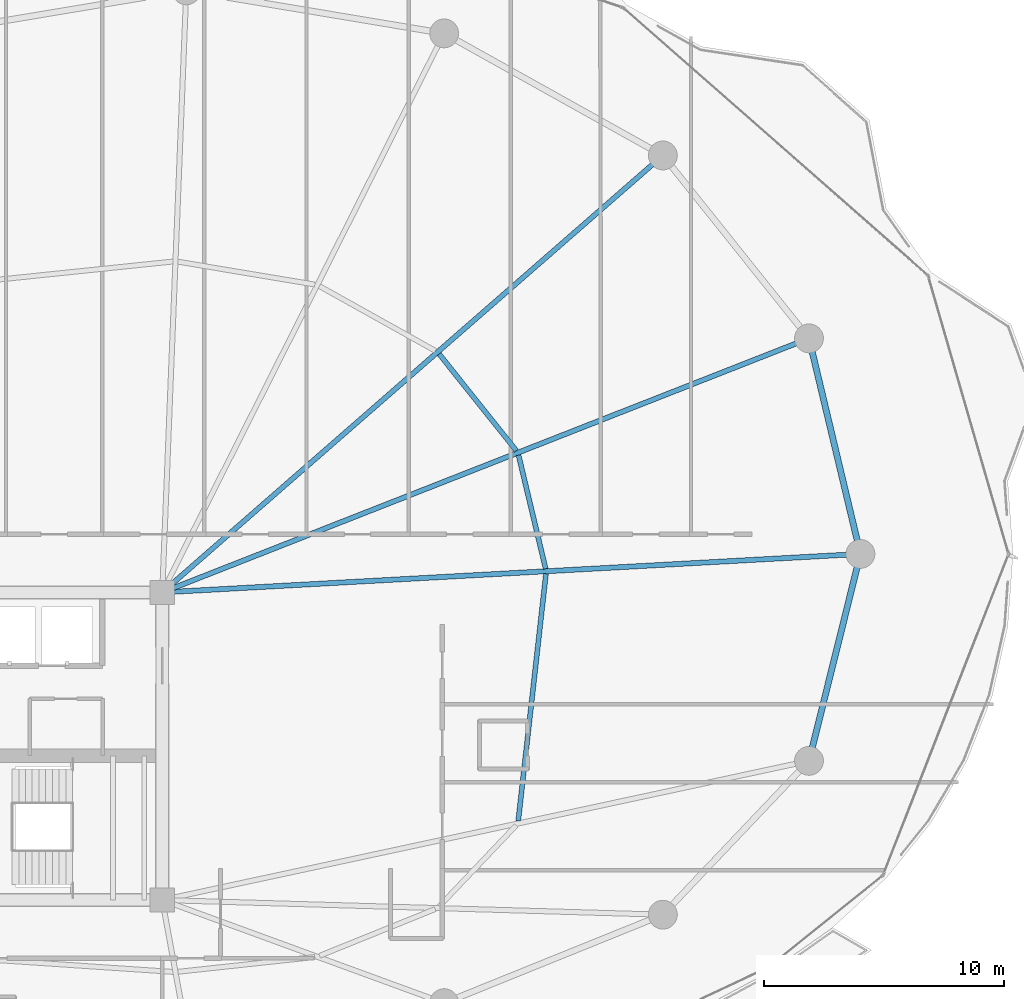
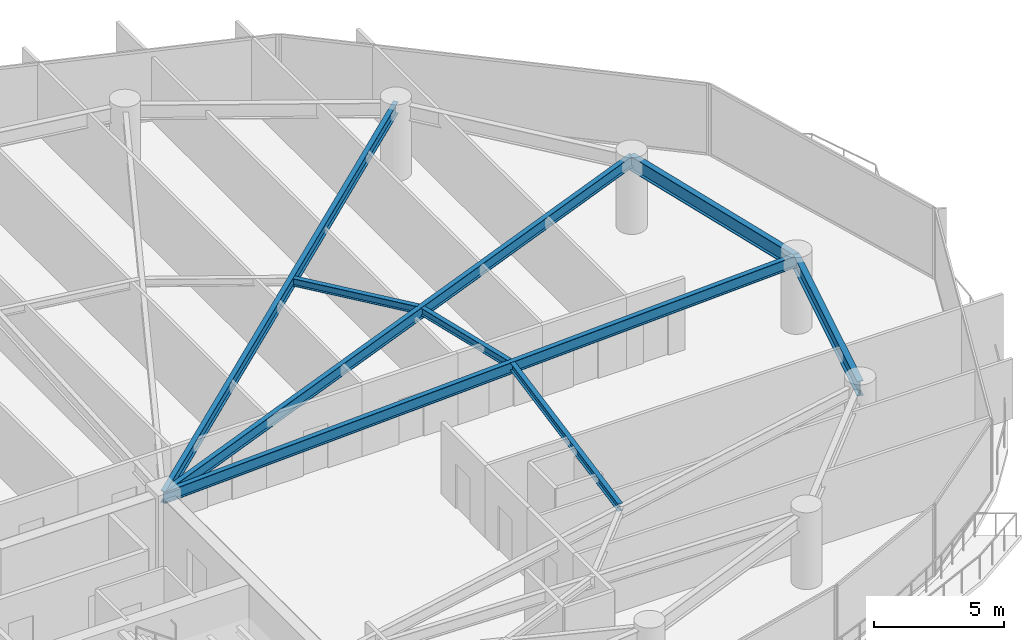
# One storey, part 16 of 34: 8 beams.
"""IFC4 building model written with IfcOpenShell, lengths in metres."""

import ifcopenshell
import ifcopenshell.guid

model = None  # the IFC model being written
_history = None  # IfcOwnerHistory: only IFC2X3 demands one
_inside = {}  # id of a spatial element -> (the spatial element, [elements in it])
_under = {}  # id of a project, library or spatial element -> (it, [spatial elements below it])
_declared = {}  # id of a project -> (the project, [libraries it declares])
_typed = {}  # id of a type object -> (the type object, [elements of that type])
_made_of = {}  # id of a material, layer set ... -> (it, [elements and type objects made of it])


def new_model(schema):
    """Start an empty IFC model of exactly this schema.

    Asked for "IFC4X3", IfcOpenShell would pick the latest addendum, in which some entities
    have other attributes; the version numbers below select the first issue.
    IFC2X3 requires an IfcOwnerHistory on every rooted entity: one is made here for all.
    """
    global model, _history
    if schema == "IFC4X3":
        model = ifcopenshell.file(schema_version=(4, 3, 0, 0))
    else:
        model = ifcopenshell.file(schema=schema)
    _inside.clear()
    _under.clear()
    _declared.clear()
    _typed.clear()
    _made_of.clear()
    _history = None
    if model.schema == "IFC2X3":
        org = make("IfcOrganization", Name="unknown")
        user = make(
            "IfcPersonAndOrganization",
            ThePerson=make("IfcPerson", FamilyName="unknown"),
            TheOrganization=org,
        )
        app = make(
            "IfcApplication",
            ApplicationDeveloper=org,
            Version="unknown",
            ApplicationFullName="unknown",
            ApplicationIdentifier="unknown",
        )
        _history = make(
            "IfcOwnerHistory",
            OwningUser=user,
            OwningApplication=app,
            ChangeAction="ADDED",
            CreationDate=0,
        )
    return model


def make(cls, **values):
    """One entity of the class cls with the attributes given. An attribute that is None is left unset."""
    return model.create_entity(
        cls, **{name: value for name, value in values.items() if value is not None}
    )


def rooted(cls, **values):
    """An entity with a GlobalId (a new one), such as an element, a storey or a relation."""
    return make(cls, GlobalId=ifcopenshell.guid.new(), OwnerHistory=_history, **values)


def si_unit(unit_type, name, prefix=None):
    """IfcSIUnit, for example si_unit("LENGTHUNIT", "METRE", prefix="MILLI")."""
    return make("IfcSIUnit", UnitType=unit_type, Prefix=prefix, Name=name)


def assignment(units):
    """IfcUnitAssignment: the units of a project."""
    return None if units is None else make("IfcUnitAssignment", Units=units)


def point(xyz):
    """IfcCartesianPoint."""
    return None if xyz is None else make("IfcCartesianPoint", Coordinates=xyz)


def direction(xyz):
    """IfcDirection."""
    return None if xyz is None else make("IfcDirection", DirectionRatios=xyz)


def frame(location, z_axis=None, x_axis=None):
    """IfcAxis2Placement3D, a coordinate frame: its origin and axes. An axis left out is left unset."""
    return make(
        "IfcAxis2Placement3D",
        Location=point(location),
        Axis=direction(z_axis),
        RefDirection=direction(x_axis),
    )


def frame_2d(location, x_axis=None):
    """IfcAxis2Placement2D, a coordinate frame in the plane: its origin and x axis."""
    return make(
        "IfcAxis2Placement2D", Location=point(location), RefDirection=direction(x_axis)
    )


def origin():
    """The frame at (0, 0, 0) with its axes left unset."""
    return frame((0.0, 0.0, 0.0))


def origin_2d():
    """The frame at (0, 0) in the plane with its x axis left unset."""
    return frame_2d((0.0, 0.0))


def place(relative_to, where):
    """IfcLocalPlacement: puts the frame where relative to a parent placement (None: the world)."""
    return make(
        "IfcLocalPlacement", PlacementRelTo=relative_to, RelativePlacement=where
    )


def context(
    kind, dimensions, precision=None, world=None, true_north=None, identifier=None
):
    """IfcGeometricRepresentationContext, for example the 3D "Model" context."""
    return make(
        "IfcGeometricRepresentationContext",
        ContextIdentifier=identifier,
        ContextType=kind,
        CoordinateSpaceDimension=dimensions,
        Precision=precision,
        WorldCoordinateSystem=world,
        TrueNorth=true_north,
    )


def subcontext(parent, identifier, kind, view, scale=None):
    """IfcGeometricRepresentationSubContext, for example "Body" below "Model"."""
    return make(
        "IfcGeometricRepresentationSubContext",
        ContextIdentifier=identifier,
        ContextType=kind,
        ParentContext=parent,
        TargetScale=scale,
        TargetView=view,
    )


def project(units=None, contexts=None):
    """IfcProject with its units and contexts."""
    return rooted(
        "IfcProject",
        Name="project",
        RepresentationContexts=contexts,
        UnitsInContext=assignment(units),
    )


def spatial(cls, under=None, at=None, **own):
    """A site, building, storey or space (cls), placed at a placement, below another one or the project."""
    s = rooted(cls, ObjectPlacement=at, **own)
    if under is not None:
        _under.setdefault(under.id(), (under, []))[1].append(s)
    return s


def profile(cls, at=None, kind="AREA", **sizes):
    """A parametric profile (cls). Its sizes go by their IFC names, for example OverallWidth=200.0."""
    return make(cls, ProfileType=kind, Position=at, **sizes)


def i_section(**sizes):
    """IfcIShapeProfileDef."""
    return profile("IfcIShapeProfileDef", **sizes)


def extrude(swept, where, along, depth):
    """IfcExtrudedAreaSolid: the profile swept, set in the frame where, extruded along a direction by depth."""
    return make(
        "IfcExtrudedAreaSolid",
        SweptArea=swept,
        Position=where,
        ExtrudedDirection=direction(along),
        Depth=depth,
    )


def shape(context_of_items, identifier, shape_type, items):
    """IfcShapeRepresentation: the items that make up one representation, for example the "Body"."""
    return make(
        "IfcShapeRepresentation",
        ContextOfItems=context_of_items,
        RepresentationIdentifier=identifier,
        RepresentationType=shape_type,
        Items=items,
    )


def material(Name=None, Category=None):
    """IfcMaterial."""
    return make("IfcMaterial", Name=Name, Category=Category)


def material_profile(
    of_material, cross_section, Name=None, Category=None, Priority=None
):
    """IfcMaterialProfile: a cross section and its material."""
    return make(
        "IfcMaterialProfile",
        Name=Name,
        Material=of_material,
        Profile=cross_section,
        Priority=Priority,
        Category=Category,
    )


def profile_set(profiles, Name=None, composite=None):
    """IfcMaterialProfileSet."""
    return make(
        "IfcMaterialProfileSet",
        Name=Name,
        MaterialProfiles=profiles,
        CompositeProfile=composite,
    )


def made_of(thing, what):
    """Note that an element or type object is made of a material, layer set ...; save() writes the relation."""
    if what is not None:
        _made_of.setdefault(what.id(), (what, []))[1].append(thing)
    return thing


def type_object(cls, material=None, **own):
    """A type object (cls), such as IfcWallType, which elements share."""
    return made_of(rooted(cls, **own), material)


def element(
    cls,
    number,
    at=None,
    inside=None,
    cuts=None,
    type_object=None,
    material=None,
    context=None,
    identifier="Body",
    shape_type=None,
    held_by="IfcProductDefinitionShape",
    body=None,
    shapes=None,
    **own,
):
    """One element of the class cls, such as IfcWall. Its Tag is "e" and its number.

    at: its placement. inside: the storey or other place that contains it. cuts: it is an
    opening in that element (IfcRelVoidsElement). A single representation is given by context,
    identifier, shape_type and body (its items); several are given by shapes. held_by: the class
    of the entity that holds the representations. save() writes the other relations.
    """
    e = rooted(cls, Tag="e%d" % number, ObjectPlacement=at, **own)
    if body is not None:
        shapes = [shape(context, identifier, shape_type, body)]
    if shapes is not None:
        e.Representation = make(held_by, Representations=shapes)
    if inside is not None:
        _inside.setdefault(inside.id(), (inside, []))[1].append(e)
    if cuts is not None:
        rooted(
            "IfcRelVoidsElement", RelatingBuildingElement=cuts, RelatedOpeningElement=e
        )
    if type_object is not None:
        _typed.setdefault(type_object.id(), (type_object, []))[1].append(e)
    return made_of(e, material)


def aggregate(whole, parts):
    """IfcRelAggregates: a whole, such as a stair, and the parts it consists of."""
    return rooted("IfcRelAggregates", RelatingObject=whole, RelatedObjects=parts)


def save(model, path):
    """Write the relations noted so far, then the file.

    IfcRelAggregates (storeys below a building ...), IfcRelContainedInSpatialStructure (elements
    in a storey), IfcRelDefinesByType, IfcRelAssociatesMaterial and IfcRelDeclares: one each for
    every whole, place, type object, material and project.
    """
    for whole, parts in _under.values():
        aggregate(whole, parts)
    for where, things in _inside.values():
        rooted(
            "IfcRelContainedInSpatialStructure",
            RelatedElements=things,
            RelatingStructure=where,
        )
    for kind, things in _typed.values():
        rooted("IfcRelDefinesByType", RelatedObjects=things, RelatingType=kind)
    for what, things in _made_of.values():
        rooted("IfcRelAssociatesMaterial", RelatedObjects=things, RelatingMaterial=what)
    for by, libraries in _declared.values():
        rooted("IfcRelDeclares", RelatingContext=by, RelatedDefinitions=libraries)
    model.write(path)


model = new_model("IFC4")

# Units and contexts
model_context = context("Model", 3, precision=1e-05, world=origin(), true_north=direction((0.0, 1.0)))
body_context = subcontext(model_context, "Body", "Model", "MODEL_VIEW")
ifc_project = project(units=[si_unit("LENGTHUNIT", "METRE"), si_unit("AREAUNIT", "SQUARE_METRE"), si_unit("VOLUMEUNIT", "CUBIC_METRE"), si_unit("PLANEANGLEUNIT", "RADIAN"), si_unit("MASSUNIT", "GRAM", prefix="KILO")], contexts=[model_context])

# Site, building, storey
site_placement = place(None, origin())
site = spatial("IfcSite", under=ifc_project, at=site_placement, CompositionType="ELEMENT")
building_placement = place(site_placement, origin())
building = spatial("IfcBuilding", under=site, at=building_placement, Name="Kazevale Care Tower and Concert Hall", CompositionType="ELEMENT")
storey_placement = place(building_placement, frame((0.0, 0.0, 167.39990234375)))
storey = spatial("IfcBuildingStorey", under=building, at=storey_placement, Name="L44", CompositionType="ELEMENT", Elevation=167.39990234375)

# Beams
ifc_material = material(Name="Steel ASTM A572 Gr 50", Category="steel")
ifc_material_profile_1 = material_profile(ifc_material, i_section(OverallWidth=0.2119140625, OverallDepth=0.5439453125, WebThickness=0.01318359375, FlangeThickness=0.021240234375, at=origin_2d()), Name="W530x123")
ifc_profile_set_1 = profile_set([ifc_material_profile_1], Name="Steel ASTM A572 Gr 50")
beam_type_1 = type_object("IfcBeamType", Name="Radial Floor Girder W530x123", PredefinedType="BEAM", material=ifc_profile_set_1)
beam_1_placement = place(storey_placement, frame((44.0, 36.39990234375, 3.088134765625), z_axis=(0.998486500016, 0.054997357076, 0.0), x_axis=(-0.054997357076, 0.998486500016, 0.0)))
element("IfcBeam", 1, at=beam_1_placement, inside=storey, type_object=beam_type_1, Name="beam:L44:rad:01", PredefinedType="BEAM", context=body_context, shape_type="SweptSolid", body=[
    extrude(i_section(OverallWidth=0.2119140625, OverallDepth=0.5439453125, WebThickness=0.01318359375, FlangeThickness=0.021240234375, at=origin_2d()), origin(), (0.0, 0.0, 1.0), 29.093994140625),
])
beam_2_placement = place(storey_placement, frame((44.0, 36.39990234375, 3.088134765625), z_axis=(0.930771301513, 0.36560194786, 0.0), x_axis=(-0.36560194786, 0.930771301513, 0.0)))
element("IfcBeam", 2, at=beam_2_placement, inside=storey, type_object=beam_type_1, Name="beam:L44:rad:02", PredefinedType="BEAM", context=body_context, shape_type="SweptSolid", body=[
    extrude(i_section(OverallWidth=0.2119140625, OverallDepth=0.5439453125, WebThickness=0.01318359375, FlangeThickness=0.021240234375, at=origin_2d()), origin(), (0.0, 0.0, 1.0), 28.911376953125),
])
beam_3_placement = place(storey_placement, frame((44.0, 36.39990234375, 3.088134765625), z_axis=(0.753403181998, 0.657558853149, 0.0), x_axis=(-0.657558853149, 0.753403181998, 0.0)))
element("IfcBeam", 3, at=beam_3_placement, inside=storey, type_object=beam_type_1, Name="beam:L44:rad:03", PredefinedType="BEAM", context=body_context, shape_type="SweptSolid", body=[
    extrude(i_section(OverallWidth=0.2119140625, OverallDepth=0.5439453125, WebThickness=0.01318359375, FlangeThickness=0.021240234375, at=origin_2d()), origin(), (0.0, 0.0, 1.0), 27.64794921875),
])
ifc_material_profile_2 = material_profile(ifc_material, i_section(OverallWidth=0.205078125, OverallDepth=0.35400390625, WebThickness=0.009521484375, FlangeThickness=0.016845703125, at=origin_2d()), Name="W360x79")
ifc_profile_set_2 = profile_set([ifc_material_profile_2], Name="Steel ASTM A572 Gr 50")
beam_type_2 = type_object("IfcBeamType", Name="Secondary Floor Joist W360x79", PredefinedType="JOIST", material=ifc_profile_set_2)
beam_4_placement = place(storey_placement, frame((59.952880859375, 37.382080078125, 3.18310546875), z_axis=(-0.232005223279, 0.972714540023, 0.0), x_axis=(-0.972714540023, -0.232005223279, 0.0)))
element("IfcBeam", 4, at=beam_4_placement, inside=storey, type_object=beam_type_2, Name="beam:L44:joist:01", PredefinedType="JOIST", context=body_context, shape_type="SweptSolid", body=[
    extrude(i_section(OverallWidth=0.205078125, OverallDepth=0.35400390625, WebThickness=0.009521484375, FlangeThickness=0.016845703125, at=origin_2d()), origin(), (0.0, 0.0, 1.0), 4.861572265625),
])
beam_5_placement = place(storey_placement, frame((58.735107421875, 42.2958984375, 3.18310546875), z_axis=(-0.624261115922, 0.781215757104, 0.0), x_axis=(-0.781215757104, -0.624261115922, 0.0)))
element("IfcBeam", 5, at=beam_5_placement, inside=storey, type_object=beam_type_2, Name="beam:L44:joist:02", PredefinedType="JOIST", context=body_context, shape_type="SweptSolid", body=[
    extrude(i_section(OverallWidth=0.205078125, OverallDepth=0.35400390625, WebThickness=0.009521484375, FlangeThickness=0.016845703125, at=origin_2d()), origin(), (0.0, 0.0, 1.0), 5.147216796875),
])
beam_6_placement = place(storey_placement, frame((58.81201171875, 26.888916015625, 3.18310546875), z_axis=(0.111485011105, 0.993766115491, 0.0), x_axis=(-0.993766115491, 0.111485011105, 0.0)))
element("IfcBeam", 6, at=beam_6_placement, inside=storey, type_object=beam_type_2, Name="beam:L44:joist:16", PredefinedType="JOIST", context=body_context, shape_type="SweptSolid", body=[
    extrude(i_section(OverallWidth=0.205078125, OverallDepth=0.35400390625, WebThickness=0.009521484375, FlangeThickness=0.016845703125, at=origin_2d()), origin(), (0.0, 0.0, 1.0), 10.3515625),
])
ifc_material_profile_3 = material_profile(ifc_material, i_section(OverallWidth=0.256103515625, OverallDepth=0.693115234375, WebThickness=0.014404296875, FlangeThickness=0.023681640625, at=origin_2d()), Name="W690x170")
ifc_profile_set_3 = profile_set([ifc_material_profile_3], Name="Steel ASTM A572 Gr 50")
beam_type_3 = type_object("IfcBeamType", Name="Waist Ring Beam W690x170", PredefinedType="BEAM", material=ifc_profile_set_3)
beam_7_placement = place(storey_placement, frame((73.050048828125, 38.0, 3.013671875), z_axis=(-0.232075055882, 0.972697881378, 0.0), x_axis=(-0.972697881378, -0.232075055882, 0.0)))
element("IfcBeam", 7, at=beam_7_placement, inside=storey, type_object=beam_type_3, Name="beam:L44:ring:01", PredefinedType="BEAM", context=body_context, shape_type="SweptSolid", body=[
    extrude(i_section(OverallWidth=0.256103515625, OverallDepth=0.693115234375, WebThickness=0.014404296875, FlangeThickness=0.023681640625, at=origin_2d()), origin(), (0.0, 0.0, 1.0), 9.2216796875),
])
beam_8_placement = place(storey_placement, frame((70.909912109375, 29.389892578125, 3.013671875), z_axis=(0.241221022882, 0.970470204653, 0.0), x_axis=(-0.970470204653, 0.241221022882, 0.0)))
element("IfcBeam", 8, at=beam_8_placement, inside=storey, type_object=beam_type_3, Name="beam:L44:ring:16", PredefinedType="BEAM", context=body_context, shape_type="SweptSolid", body=[
    extrude(i_section(OverallWidth=0.256103515625, OverallDepth=0.693115234375, WebThickness=0.014404296875, FlangeThickness=0.023681640625, at=origin_2d()), origin(), (0.0, 0.0, 1.0), 8.8720703125),
])

save(model, "model.ifc")
